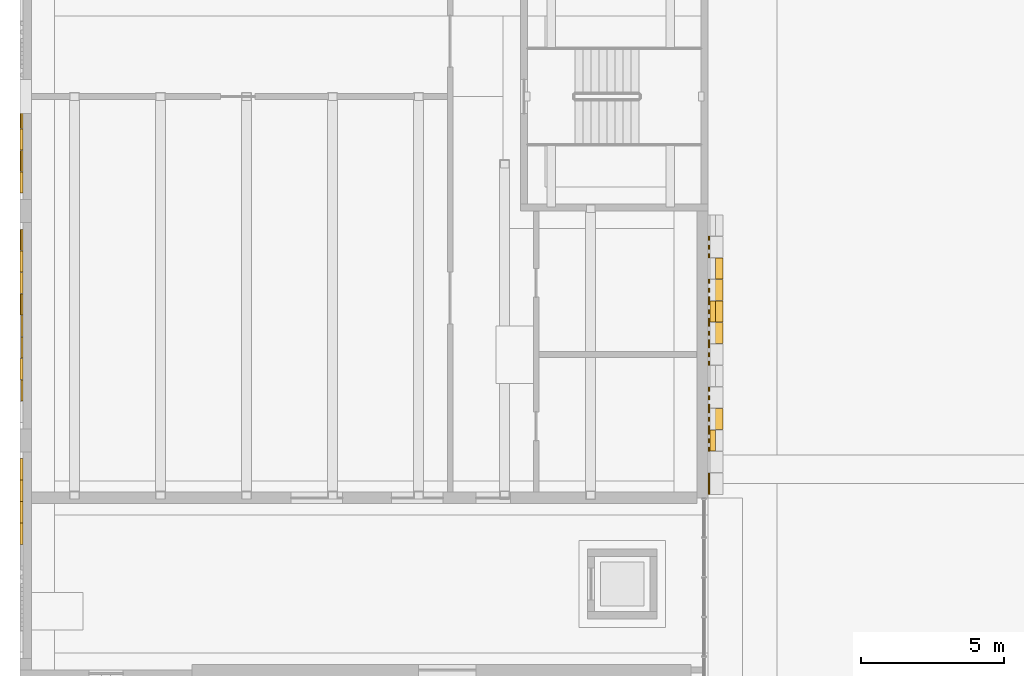
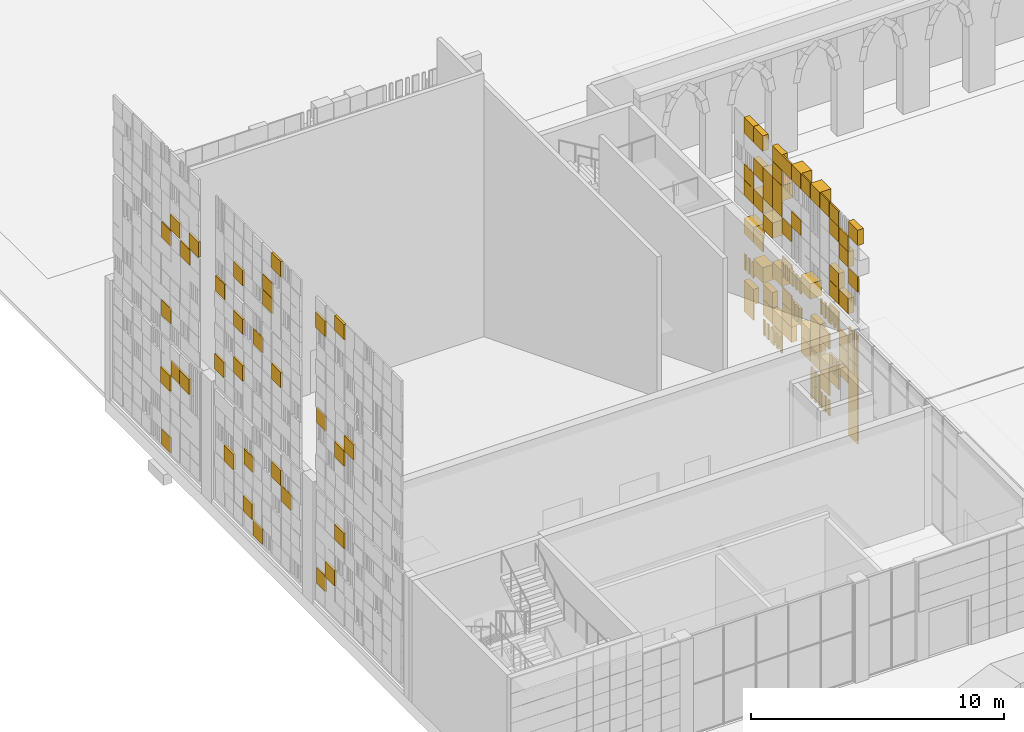
# One storey, part 92 of 125: 4 coverings.
"""IFC4 building model written with IfcOpenShell, lengths in metres."""

from ifc_helpers import new_model, si_unit, direction, frame, origin, origin_2d, place, context, subcontext, project, spatial, rectangle, extrude, material, layer, layer_set, type_object, element, save


model = new_model("IFC4")

# Units and contexts
model_context = context("Model", 3, precision=1e-05, world=origin(), true_north=direction((0.0, 1.0)))
body_context = subcontext(model_context, "Body", "Model", "MODEL_VIEW")
ifc_project = project(units=[si_unit("LENGTHUNIT", "METRE"), si_unit("AREAUNIT", "SQUARE_METRE"), si_unit("VOLUMEUNIT", "CUBIC_METRE"), si_unit("PLANEANGLEUNIT", "RADIAN"), si_unit("MASSUNIT", "GRAM", prefix="KILO")], contexts=[model_context])

# Site, building, storey
site_placement = place(None, origin())
site = spatial("IfcSite", under=ifc_project, at=site_placement, CompositionType="ELEMENT")
building_placement = place(site_placement, origin())
building = spatial("IfcBuilding", under=site, at=building_placement, Name="Sun Court Science Centre", CompositionType="ELEMENT")
storey_placement = place(building_placement, origin())
storey = spatial("IfcBuildingStorey", under=building, at=storey_placement, Name="L00", CompositionType="ELEMENT", Elevation=0.0)

# Coverings
ifc_material_1 = material(Name="Red sandstone", Category="masonry")
ifc_layer_1 = layer(ifc_material_1, 0.06005859375)
ifc_layer_set_1 = layer_set([ifc_layer_1], Name="Red sandstone")
covering_type_1 = type_object("IfcCoveringType", Name="Red sandstone jali relief 750", PredefinedType="CLADDING", material=ifc_layer_set_1)
covering_1_placement = place(storey_placement, origin())
element("IfcCovering", 1, at=covering_1_placement, inside=storey, type_object=covering_type_1, Name="Red sandstone jali relief theatre-AUD-east face-L00 L00", PredefinedType="CLADDING", context=body_context, shape_type="SweptSolid", body=[
    extrude(rectangle(XDim=0.139892578125, YDim=0.06005859375, at=origin_2d()), frame((24.030029296875, 57.800048828125, 0.0048828125), z_axis=(0.0, 0.0, 1.0), x_axis=(0.0, -1.0, 0.0)), (0.0, 0.0, 1.0), 0.739990234375),
    extrude(rectangle(XDim=0.139892578125, YDim=0.06005859375, at=origin_2d()), frame((24.030029296875, 57.5, 0.0048828125), z_axis=(0.0, 0.0, 1.0), x_axis=(0.0, -1.0, 0.0)), (0.0, 0.0, 1.0), 0.739990234375),
    extrude(rectangle(XDim=0.139892578125, YDim=0.06005859375, at=origin_2d()), frame((24.030029296875, 57.199951171875, 0.0048828125), z_axis=(0.0, 0.0, 1.0), x_axis=(0.0, -1.0, 0.0)), (0.0, 0.0, 1.0), 0.739990234375),
    extrude(rectangle(XDim=0.139892578125, YDim=0.06005859375, at=origin_2d()), frame((24.030029296875, 57.050048828125, 0.0048828125), z_axis=(0.0, 0.0, 1.0), x_axis=(0.0, -1.0, 0.0)), (0.0, 0.0, 1.0), 0.739990234375),
    extrude(rectangle(XDim=0.139892578125, YDim=0.06005859375, at=origin_2d()), frame((24.030029296875, 56.75, 0.0048828125), z_axis=(0.0, 0.0, 1.0), x_axis=(0.0, -1.0, 0.0)), (0.0, 0.0, 1.0), 0.739990234375),
    extrude(rectangle(XDim=0.139892578125, YDim=0.06005859375, at=origin_2d()), frame((24.030029296875, 56.449951171875, 0.0048828125), z_axis=(0.0, 0.0, 1.0), x_axis=(0.0, -1.0, 0.0)), (0.0, 0.0, 1.0), 0.739990234375),
    extrude(rectangle(XDim=0.139892578125, YDim=0.06005859375, at=origin_2d()), frame((24.030029296875, 61.550048828125, 0.7548828125), z_axis=(0.0, 0.0, 1.0), x_axis=(0.0, -1.0, 0.0)), (0.0, 0.0, 1.0), 0.739990234375),
    extrude(rectangle(XDim=0.139892578125, YDim=0.06005859375, at=origin_2d()), frame((24.030029296875, 61.25, 0.7548828125), z_axis=(0.0, 0.0, 1.0), x_axis=(0.0, -1.0, 0.0)), (0.0, 0.0, 1.0), 0.739990234375),
    extrude(rectangle(XDim=0.139892578125, YDim=0.06005859375, at=origin_2d()), frame((24.030029296875, 60.949951171875, 0.7548828125), z_axis=(0.0, 0.0, 1.0), x_axis=(0.0, -1.0, 0.0)), (0.0, 0.0, 1.0), 0.739990234375),
    extrude(rectangle(XDim=0.139892578125, YDim=0.06005859375, at=origin_2d()), frame((24.030029296875, 60.800048828125, 0.7548828125), z_axis=(0.0, 0.0, 1.0), x_axis=(0.0, -1.0, 0.0)), (0.0, 0.0, 1.0), 0.739990234375),
    extrude(rectangle(XDim=0.139892578125, YDim=0.06005859375, at=origin_2d()), frame((24.030029296875, 60.5, 0.7548828125), z_axis=(0.0, 0.0, 1.0), x_axis=(0.0, -1.0, 0.0)), (0.0, 0.0, 1.0), 0.739990234375),
    extrude(rectangle(XDim=0.139892578125, YDim=0.06005859375, at=origin_2d()), frame((24.030029296875, 60.199951171875, 0.7548828125), z_axis=(0.0, 0.0, 1.0), x_axis=(0.0, -1.0, 0.0)), (0.0, 0.0, 1.0), 0.739990234375),
    extrude(rectangle(XDim=0.139892578125, YDim=0.06005859375, at=origin_2d()), frame((24.030029296875, 57.800048828125, 0.7548828125), z_axis=(0.0, 0.0, 1.0), x_axis=(0.0, -1.0, 0.0)), (0.0, 0.0, 1.0), 0.739990234375),
    extrude(rectangle(XDim=0.139892578125, YDim=0.06005859375, at=origin_2d()), frame((24.030029296875, 57.5, 0.7548828125), z_axis=(0.0, 0.0, 1.0), x_axis=(0.0, -1.0, 0.0)), (0.0, 0.0, 1.0), 0.739990234375),
    extrude(rectangle(XDim=0.139892578125, YDim=0.06005859375, at=origin_2d()), frame((24.030029296875, 57.199951171875, 0.7548828125), z_axis=(0.0, 0.0, 1.0), x_axis=(0.0, -1.0, 0.0)), (0.0, 0.0, 1.0), 0.739990234375),
    extrude(rectangle(XDim=0.139892578125, YDim=0.06005859375, at=origin_2d()), frame((24.030029296875, 57.800048828125, 2.2548828125), z_axis=(0.0, 0.0, 1.0), x_axis=(0.0, -1.0, 0.0)), (0.0, 0.0, 1.0), 0.739990234375),
    extrude(rectangle(XDim=0.139892578125, YDim=0.06005859375, at=origin_2d()), frame((24.030029296875, 57.5, 2.2548828125), z_axis=(0.0, 0.0, 1.0), x_axis=(0.0, -1.0, 0.0)), (0.0, 0.0, 1.0), 0.739990234375),
    extrude(rectangle(XDim=0.139892578125, YDim=0.06005859375, at=origin_2d()), frame((24.030029296875, 57.199951171875, 2.2548828125), z_axis=(0.0, 0.0, 1.0), x_axis=(0.0, -1.0, 0.0)), (0.0, 0.0, 1.0), 0.739990234375),
    extrude(rectangle(XDim=0.139892578125, YDim=0.06005859375, at=origin_2d()), frame((24.030029296875, 56.300048828125, 2.2548828125), z_axis=(0.0, 0.0, 1.0), x_axis=(0.0, -1.0, 0.0)), (0.0, 0.0, 1.0), 0.739990234375),
    extrude(rectangle(XDim=0.139892578125, YDim=0.06005859375, at=origin_2d()), frame((24.030029296875, 56.0, 2.2548828125), z_axis=(0.0, 0.0, 1.0), x_axis=(0.0, -1.0, 0.0)), (0.0, 0.0, 1.0), 0.739990234375),
    extrude(rectangle(XDim=0.139892578125, YDim=0.06005859375, at=origin_2d()), frame((24.030029296875, 55.699951171875, 2.2548828125), z_axis=(0.0, 0.0, 1.0), x_axis=(0.0, -1.0, 0.0)), (0.0, 0.0, 1.0), 0.739990234375),
    extrude(rectangle(XDim=0.139892578125, YDim=0.06005859375, at=origin_2d()), frame((24.030029296875, 63.050048828125, 3.0048828125), z_axis=(0.0, 0.0, 1.0), x_axis=(0.0, -1.0, 0.0)), (0.0, 0.0, 1.0), 0.739990234375),
    extrude(rectangle(XDim=0.139892578125, YDim=0.06005859375, at=origin_2d()), frame((24.030029296875, 62.75, 3.0048828125), z_axis=(0.0, 0.0, 1.0), x_axis=(0.0, -1.0, 0.0)), (0.0, 0.0, 1.0), 0.739990234375),
    extrude(rectangle(XDim=0.139892578125, YDim=0.06005859375, at=origin_2d()), frame((24.030029296875, 62.449951171875, 3.0048828125), z_axis=(0.0, 0.0, 1.0), x_axis=(0.0, -1.0, 0.0)), (0.0, 0.0, 1.0), 0.739990234375),
    extrude(rectangle(XDim=0.139892578125, YDim=0.06005859375, at=origin_2d()), frame((24.030029296875, 59.300048828125, 3.0048828125), z_axis=(0.0, 0.0, 1.0), x_axis=(0.0, -1.0, 0.0)), (0.0, 0.0, 1.0), 0.739990234375),
    extrude(rectangle(XDim=0.139892578125, YDim=0.06005859375, at=origin_2d()), frame((24.030029296875, 59.0, 3.0048828125), z_axis=(0.0, 0.0, 1.0), x_axis=(0.0, -1.0, 0.0)), (0.0, 0.0, 1.0), 0.739990234375),
    extrude(rectangle(XDim=0.139892578125, YDim=0.06005859375, at=origin_2d()), frame((24.030029296875, 58.699951171875, 3.0048828125), z_axis=(0.0, 0.0, 1.0), x_axis=(0.0, -1.0, 0.0)), (0.0, 0.0, 1.0), 0.739990234375),
    extrude(rectangle(XDim=0.139892578125, YDim=0.06005859375, at=origin_2d()), frame((24.030029296875, 60.050048828125, 4.5048828125), z_axis=(0.0, 0.0, 1.0), x_axis=(0.0, -1.0, 0.0)), (0.0, 0.0, 1.0), 0.739990234375),
    extrude(rectangle(XDim=0.139892578125, YDim=0.06005859375, at=origin_2d()), frame((24.030029296875, 59.75, 4.5048828125), z_axis=(0.0, 0.0, 1.0), x_axis=(0.0, -1.0, 0.0)), (0.0, 0.0, 1.0), 0.739990234375),
    extrude(rectangle(XDim=0.139892578125, YDim=0.06005859375, at=origin_2d()), frame((24.030029296875, 59.449951171875, 4.5048828125), z_axis=(0.0, 0.0, 1.0), x_axis=(0.0, -1.0, 0.0)), (0.0, 0.0, 1.0), 0.739990234375),
    extrude(rectangle(XDim=0.139892578125, YDim=0.06005859375, at=origin_2d()), frame((24.030029296875, 59.300048828125, 4.5048828125), z_axis=(0.0, 0.0, 1.0), x_axis=(0.0, -1.0, 0.0)), (0.0, 0.0, 1.0), 0.739990234375),
    extrude(rectangle(XDim=0.139892578125, YDim=0.06005859375, at=origin_2d()), frame((24.030029296875, 59.0, 4.5048828125), z_axis=(0.0, 0.0, 1.0), x_axis=(0.0, -1.0, 0.0)), (0.0, 0.0, 1.0), 0.739990234375),
    extrude(rectangle(XDim=0.139892578125, YDim=0.06005859375, at=origin_2d()), frame((24.030029296875, 58.699951171875, 4.5048828125), z_axis=(0.0, 0.0, 1.0), x_axis=(0.0, -1.0, 0.0)), (0.0, 0.0, 1.0), 0.739990234375),
    extrude(rectangle(XDim=0.139892578125, YDim=0.06005859375, at=origin_2d()), frame((24.030029296875, 57.050048828125, 4.5048828125), z_axis=(0.0, 0.0, 1.0), x_axis=(0.0, -1.0, 0.0)), (0.0, 0.0, 1.0), 0.739990234375),
    extrude(rectangle(XDim=0.139892578125, YDim=0.06005859375, at=origin_2d()), frame((24.030029296875, 56.75, 4.5048828125), z_axis=(0.0, 0.0, 1.0), x_axis=(0.0, -1.0, 0.0)), (0.0, 0.0, 1.0), 0.739990234375),
    extrude(rectangle(XDim=0.139892578125, YDim=0.06005859375, at=origin_2d()), frame((24.030029296875, 56.449951171875, 4.5048828125), z_axis=(0.0, 0.0, 1.0), x_axis=(0.0, -1.0, 0.0)), (0.0, 0.0, 1.0), 0.739990234375),
    extrude(rectangle(XDim=0.139892578125, YDim=0.06005859375, at=origin_2d()), frame((24.030029296875, 56.300048828125, 4.5048828125), z_axis=(0.0, 0.0, 1.0), x_axis=(0.0, -1.0, 0.0)), (0.0, 0.0, 1.0), 0.739990234375),
    extrude(rectangle(XDim=0.139892578125, YDim=0.06005859375, at=origin_2d()), frame((24.030029296875, 56.0, 4.5048828125), z_axis=(0.0, 0.0, 1.0), x_axis=(0.0, -1.0, 0.0)), (0.0, 0.0, 1.0), 0.739990234375),
    extrude(rectangle(XDim=0.139892578125, YDim=0.06005859375, at=origin_2d()), frame((24.030029296875, 55.699951171875, 4.5048828125), z_axis=(0.0, 0.0, 1.0), x_axis=(0.0, -1.0, 0.0)), (0.0, 0.0, 1.0), 0.739990234375),
    extrude(rectangle(XDim=0.139892578125, YDim=0.06005859375, at=origin_2d()), frame((24.030029296875, 54.800048828125, 4.5048828125), z_axis=(0.0, 0.0, 1.0), x_axis=(0.0, -1.0, 0.0)), (0.0, 0.0, 1.0), 0.739990234375),
    extrude(rectangle(XDim=0.139892578125, YDim=0.06005859375, at=origin_2d()), frame((24.030029296875, 54.5, 4.5048828125), z_axis=(0.0, 0.0, 1.0), x_axis=(0.0, -1.0, 0.0)), (0.0, 0.0, 1.0), 0.739990234375),
    extrude(rectangle(XDim=0.139892578125, YDim=0.06005859375, at=origin_2d()), frame((24.030029296875, 54.199951171875, 4.5048828125), z_axis=(0.0, 0.0, 1.0), x_axis=(0.0, -1.0, 0.0)), (0.0, 0.0, 1.0), 0.739990234375),
    extrude(rectangle(XDim=0.739990234375, YDim=0.06005859375, at=origin_2d()), frame((24.030029296875, 54.5, 0.0048828125), z_axis=(0.0, 0.0, 1.0), x_axis=(0.0, -1.0, 0.0)), (0.0, 0.0, 1.0), 0.739990234375),
    extrude(rectangle(XDim=0.739990234375, YDim=0.06005859375, at=origin_2d()), frame((24.030029296875, 54.5, 0.7548828125), z_axis=(0.0, 0.0, 1.0), x_axis=(0.0, -1.0, 0.0)), (0.0, 0.0, 1.0), 0.739990234375),
    extrude(rectangle(XDim=0.739990234375, YDim=0.06005859375, at=origin_2d()), frame((24.030029296875, 54.5, 1.5048828125), z_axis=(0.0, 0.0, 1.0), x_axis=(0.0, -1.0, 0.0)), (0.0, 0.0, 1.0), 0.739990234375),
    extrude(rectangle(XDim=0.739990234375, YDim=0.06005859375, at=origin_2d()), frame((24.030029296875, 54.5, 2.2548828125), z_axis=(0.0, 0.0, 1.0), x_axis=(0.0, -1.0, 0.0)), (0.0, 0.0, 1.0), 0.739990234375),
    extrude(rectangle(XDim=0.739990234375, YDim=0.06005859375, at=origin_2d()), frame((24.030029296875, 54.5, 3.0048828125), z_axis=(0.0, 0.0, 1.0), x_axis=(0.0, -1.0, 0.0)), (0.0, 0.0, 1.0), 0.739990234375),
    extrude(rectangle(XDim=0.739990234375, YDim=0.06005859375, at=origin_2d()), frame((24.030029296875, 54.5, 3.7548828125), z_axis=(0.0, 0.0, 1.0), x_axis=(0.0, -1.0, 0.0)), (0.0, 0.0, 1.0), 0.739990234375),
])
ifc_material_2 = material(Name="Terracotta shade 1", Category="masonry")
ifc_layer_2 = layer(ifc_material_2, 0.06005859375)
ifc_layer_set_2 = layer_set([ifc_layer_2], Name="Terracotta shade 1")
covering_type_2 = type_object("IfcCoveringType", Name="Terracotta pixel panel shade 1", PredefinedType="CLADDING", material=ifc_layer_set_2)
covering_2_placement = place(storey_placement, origin())
element("IfcCovering", 2, at=covering_2_placement, inside=storey, type_object=covering_type_2, Name="Terracotta pixel cladding shade 1 east party wall L00", PredefinedType="CLADDING", context=body_context, shape_type="SweptSolid", body=[
    extrude(rectangle(XDim=0.739990234375, YDim=0.06005859375, at=origin_2d()), frame((24.030029296875, 62.75, 0.97998046875), z_axis=(0.0, 0.0, 1.0), x_axis=(0.0, -1.0, 0.0)), (0.0, 0.0, 1.0), 0.739990234375),
    extrude(rectangle(XDim=0.739990234375, YDim=0.06005859375, at=origin_2d()), frame((24.030029296875, 60.5, 0.97998046875), z_axis=(0.0, 0.0, 1.0), x_axis=(0.0, -1.0, 0.0)), (0.0, 0.0, 1.0), 0.739990234375),
    extrude(rectangle(XDim=0.739990234375, YDim=0.06005859375, at=origin_2d()), frame((24.030029296875, 56.75, 0.97998046875), z_axis=(0.0, 0.0, 1.0), x_axis=(0.0, -1.0, 0.0)), (0.0, 0.0, 1.0), 0.739990234375),
    extrude(rectangle(XDim=0.739990234375, YDim=0.260009765625, at=origin_2d()), frame((24.1298828125, 62.75, 1.72998046875), z_axis=(0.0, 0.0, 1.0), x_axis=(0.0, -1.0, 0.0)), (0.0, 0.0, 1.0), 0.739990234375),
    extrude(rectangle(XDim=0.739990234375, YDim=0.260009765625, at=origin_2d()), frame((24.1298828125, 60.5, 1.72998046875), z_axis=(0.0, 0.0, 1.0), x_axis=(0.0, -1.0, 0.0)), (0.0, 0.0, 1.0), 0.739990234375),
    extrude(rectangle(XDim=0.739990234375, YDim=0.06005859375, at=origin_2d()), frame((24.030029296875, 57.5, 1.72998046875), z_axis=(0.0, 0.0, 1.0), x_axis=(0.0, -1.0, 0.0)), (0.0, 0.0, 1.0), 0.739990234375),
    extrude(rectangle(XDim=0.739990234375, YDim=0.06005859375, at=origin_2d()), frame((24.030029296875, 56.0, 1.72998046875), z_axis=(0.0, 0.0, 1.0), x_axis=(0.0, -1.0, 0.0)), (0.0, 0.0, 1.0), 0.739990234375),
    extrude(rectangle(XDim=0.739990234375, YDim=0.06005859375, at=origin_2d()), frame((24.030029296875, 54.5, 1.72998046875), z_axis=(0.0, 0.0, 1.0), x_axis=(0.0, -1.0, 0.0)), (0.0, 0.0, 1.0), 0.739990234375),
    extrude(rectangle(XDim=0.739990234375, YDim=0.260009765625, at=origin_2d()), frame((24.1298828125, 61.25, 2.47998046875), z_axis=(0.0, 0.0, 1.0), x_axis=(0.0, -1.0, 0.0)), (0.0, 0.0, 1.0), 0.739990234375),
    extrude(rectangle(XDim=0.739990234375, YDim=0.260009765625, at=origin_2d()), frame((24.1298828125, 58.25, 2.47998046875), z_axis=(0.0, 0.0, 1.0), x_axis=(0.0, -1.0, 0.0)), (0.0, 0.0, 1.0), 0.739990234375),
    extrude(rectangle(XDim=0.739990234375, YDim=0.06005859375, at=origin_2d()), frame((24.030029296875, 55.25, 2.47998046875), z_axis=(0.0, 0.0, 1.0), x_axis=(0.0, -1.0, 0.0)), (0.0, 0.0, 1.0), 0.739990234375),
    extrude(rectangle(XDim=0.739990234375, YDim=0.510009765625, at=origin_2d()), frame((24.2548828125, 62.0, 3.22998046875), z_axis=(0.0, 0.0, 1.0), x_axis=(0.0, -1.0, 0.0)), (0.0, 0.0, 1.0), 0.739990234375),
    extrude(rectangle(XDim=0.739990234375, YDim=0.06005859375, at=origin_2d()), frame((24.030029296875, 59.75, 3.22998046875), z_axis=(0.0, 0.0, 1.0), x_axis=(0.0, -1.0, 0.0)), (0.0, 0.0, 1.0), 0.739990234375),
    extrude(rectangle(XDim=0.739990234375, YDim=0.06005859375, at=origin_2d()), frame((24.030029296875, 56.75, 3.22998046875), z_axis=(0.0, 0.0, 1.0), x_axis=(0.0, -1.0, 0.0)), (0.0, 0.0, 1.0), 0.739990234375),
    extrude(rectangle(XDim=0.739990234375, YDim=0.06005859375, at=origin_2d()), frame((24.030029296875, 55.25, 3.22998046875), z_axis=(0.0, 0.0, 1.0), x_axis=(0.0, -1.0, 0.0)), (0.0, 0.0, 1.0), 0.739990234375),
    extrude(rectangle(XDim=0.739990234375, YDim=0.510009765625, at=origin_2d()), frame((24.2548828125, 60.5, 3.97998046875), z_axis=(0.0, 0.0, 1.0), x_axis=(0.0, -1.0, 0.0)), (0.0, 0.0, 1.0), 0.739990234375),
    extrude(rectangle(XDim=0.739990234375, YDim=0.510009765625, at=origin_2d()), frame((24.2548828125, 62.75, 4.72998046875), z_axis=(0.0, 0.0, 1.0), x_axis=(0.0, -1.0, 0.0)), (0.0, 0.0, 1.0), 0.739990234375),
    extrude(rectangle(XDim=0.739990234375, YDim=0.06005859375, at=origin_2d()), frame((24.030029296875, 56.0, 4.72998046875), z_axis=(0.0, 0.0, 1.0), x_axis=(0.0, -1.0, 0.0)), (0.0, 0.0, 1.0), 0.739990234375),
    extrude(rectangle(XDim=0.739990234375, YDim=0.510009765625, at=origin_2d()), frame((24.2548828125, 61.25, 5.8388671875), z_axis=(0.0, 0.0, 1.0), x_axis=(0.0, -1.0, 0.0)), (0.0, 0.0, 1.0), 0.739990234375),
    extrude(rectangle(XDim=0.739990234375, YDim=0.06005859375, at=origin_2d()), frame((24.030029296875, 56.0, 5.8388671875), z_axis=(0.0, 0.0, 1.0), x_axis=(0.0, -1.0, 0.0)), (0.0, 0.0, 1.0), 0.739990234375),
    extrude(rectangle(XDim=0.739990234375, YDim=0.260009765625, at=origin_2d()), frame((24.1298828125, 55.25, 5.8388671875), z_axis=(0.0, 0.0, 1.0), x_axis=(0.0, -1.0, 0.0)), (0.0, 0.0, 1.0), 0.739990234375),
    extrude(rectangle(XDim=0.739990234375, YDim=0.06005859375, at=origin_2d()), frame((24.030029296875, 62.75, 6.5888671875), z_axis=(0.0, 0.0, 1.0), x_axis=(0.0, -1.0, 0.0)), (0.0, 0.0, 1.0), 0.739990234375),
    extrude(rectangle(XDim=0.739990234375, YDim=0.260009765625, at=origin_2d()), frame((24.1298828125, 56.0, 6.5888671875), z_axis=(0.0, 0.0, 1.0), x_axis=(0.0, -1.0, 0.0)), (0.0, 0.0, 1.0), 0.739990234375),
    extrude(rectangle(XDim=0.739990234375, YDim=0.06005859375, at=origin_2d()), frame((24.030029296875, 62.75, 7.3388671875), z_axis=(0.0, 0.0, 1.0), x_axis=(0.0, -1.0, 0.0)), (0.0, 0.0, 1.0), 0.739990234375),
    extrude(rectangle(XDim=0.739990234375, YDim=0.06005859375, at=origin_2d()), frame((24.030029296875, 60.5, 7.3388671875), z_axis=(0.0, 0.0, 1.0), x_axis=(0.0, -1.0, 0.0)), (0.0, 0.0, 1.0), 0.739990234375),
    extrude(rectangle(XDim=0.739990234375, YDim=0.06005859375, at=origin_2d()), frame((24.030029296875, 54.5, 7.3388671875), z_axis=(0.0, 0.0, 1.0), x_axis=(0.0, -1.0, 0.0)), (0.0, 0.0, 1.0), 0.739990234375),
    extrude(rectangle(XDim=0.739990234375, YDim=0.260009765625, at=origin_2d()), frame((24.1298828125, 62.0, 8.0888671875), z_axis=(0.0, 0.0, 1.0), x_axis=(0.0, -1.0, 0.0)), (0.0, 0.0, 1.0), 0.739990234375),
    extrude(rectangle(XDim=0.739990234375, YDim=0.510009765625, at=origin_2d()), frame((24.2548828125, 60.5, 8.0888671875), z_axis=(0.0, 0.0, 1.0), x_axis=(0.0, -1.0, 0.0)), (0.0, 0.0, 1.0), 0.739990234375),
    extrude(rectangle(XDim=0.739990234375, YDim=0.06005859375, at=origin_2d()), frame((24.030029296875, 55.25, 8.8388671875), z_axis=(0.0, 0.0, 1.0), x_axis=(0.0, -1.0, 0.0)), (0.0, 0.0, 1.0), 0.739990234375),
    extrude(rectangle(XDim=0.739990234375, YDim=0.260009765625, at=origin_2d()), frame((24.1298828125, 62.75, 9.5888671875), z_axis=(0.0, 0.0, 1.0), x_axis=(0.0, -1.0, 0.0)), (0.0, 0.0, 1.0), 0.739990234375),
    extrude(rectangle(XDim=0.739990234375, YDim=0.260009765625, at=origin_2d()), frame((24.1298828125, 60.5, 9.5888671875), z_axis=(0.0, 0.0, 1.0), x_axis=(0.0, -1.0, 0.0)), (0.0, 0.0, 1.0), 0.739990234375),
    extrude(rectangle(XDim=0.739990234375, YDim=0.06005859375, at=origin_2d()), frame((24.030029296875, 59.75, 9.5888671875), z_axis=(0.0, 0.0, 1.0), x_axis=(0.0, -1.0, 0.0)), (0.0, 0.0, 1.0), 0.739990234375),
    extrude(rectangle(XDim=0.739990234375, YDim=0.510009765625, at=origin_2d()), frame((24.2548828125, 57.5, 9.5888671875), z_axis=(0.0, 0.0, 1.0), x_axis=(0.0, -1.0, 0.0)), (0.0, 0.0, 1.0), 0.739990234375),
    extrude(rectangle(XDim=0.739990234375, YDim=0.06005859375, at=origin_2d()), frame((24.030029296875, 56.75, 9.5888671875), z_axis=(0.0, 0.0, 1.0), x_axis=(0.0, -1.0, 0.0)), (0.0, 0.0, 1.0), 0.739990234375),
    extrude(rectangle(XDim=0.739990234375, YDim=0.06005859375, at=origin_2d()), frame((24.030029296875, 56.0, 9.5888671875), z_axis=(0.0, 0.0, 1.0), x_axis=(0.0, -1.0, 0.0)), (0.0, 0.0, 1.0), 0.739990234375),
    extrude(rectangle(XDim=0.739990234375, YDim=0.260009765625, at=origin_2d()), frame((24.1298828125, 54.5, 9.5888671875), z_axis=(0.0, 0.0, 1.0), x_axis=(0.0, -1.0, 0.0)), (0.0, 0.0, 1.0), 0.739990234375),
    extrude(rectangle(XDim=0.739990234375, YDim=0.06005859375, at=origin_2d()), frame((24.030029296875, 54.5, 2.47998046875), z_axis=(0.0, 0.0, 1.0), x_axis=(0.0, -1.0, 0.0)), (0.0, 0.0, 1.0), 0.739990234375),
    extrude(rectangle(XDim=0.739990234375, YDim=0.06005859375, at=origin_2d()), frame((24.030029296875, 54.5, 3.22998046875), z_axis=(0.0, 0.0, 1.0), x_axis=(0.0, -1.0, 0.0)), (0.0, 0.0, 1.0), 0.739990234375),
])
ifc_material_3 = material(Name="Terracotta shade 4", Category="masonry")
ifc_layer_3 = layer(ifc_material_3, 0.06005859375)
ifc_layer_set_3 = layer_set([ifc_layer_3], Name="Terracotta shade 4")
covering_type_3 = type_object("IfcCoveringType", Name="Terracotta pixel panel shade 4", PredefinedType="CLADDING", material=ifc_layer_set_3)
covering_3_placement = place(storey_placement, origin())
element("IfcCovering", 3, at=covering_3_placement, inside=storey, type_object=covering_type_3, Name="Terracotta pixel cladding shade 4 east party wall L00", PredefinedType="CLADDING", context=body_context, shape_type="SweptSolid", body=[
    extrude(rectangle(XDim=0.739990234375, YDim=0.260009765625, at=origin_2d()), frame((24.1298828125, 61.25, 1.72998046875), z_axis=(0.0, 0.0, 1.0), x_axis=(0.0, -1.0, 0.0)), (0.0, 0.0, 1.0), 0.739990234375),
    extrude(rectangle(XDim=0.739990234375, YDim=0.260009765625, at=origin_2d()), frame((24.1298828125, 59.75, 1.72998046875), z_axis=(0.0, 0.0, 1.0), x_axis=(0.0, -1.0, 0.0)), (0.0, 0.0, 1.0), 0.739990234375),
    extrude(rectangle(XDim=0.739990234375, YDim=0.06005859375, at=origin_2d()), frame((24.030029296875, 58.25, 1.72998046875), z_axis=(0.0, 0.0, 1.0), x_axis=(0.0, -1.0, 0.0)), (0.0, 0.0, 1.0), 0.739990234375),
    extrude(rectangle(XDim=0.739990234375, YDim=0.510009765625, at=origin_2d()), frame((24.2548828125, 56.75, 1.72998046875), z_axis=(0.0, 0.0, 1.0), x_axis=(0.0, -1.0, 0.0)), (0.0, 0.0, 1.0), 0.739990234375),
    extrude(rectangle(XDim=0.739990234375, YDim=0.510009765625, at=origin_2d()), frame((24.2548828125, 59.75, 2.47998046875), z_axis=(0.0, 0.0, 1.0), x_axis=(0.0, -1.0, 0.0)), (0.0, 0.0, 1.0), 0.739990234375),
    extrude(rectangle(XDim=0.739990234375, YDim=0.260009765625, at=origin_2d()), frame((24.1298828125, 57.5, 2.47998046875), z_axis=(0.0, 0.0, 1.0), x_axis=(0.0, -1.0, 0.0)), (0.0, 0.0, 1.0), 0.739990234375),
    extrude(rectangle(XDim=0.739990234375, YDim=0.260009765625, at=origin_2d()), frame((24.1298828125, 57.5, 3.22998046875), z_axis=(0.0, 0.0, 1.0), x_axis=(0.0, -1.0, 0.0)), (0.0, 0.0, 1.0), 0.739990234375),
    extrude(rectangle(XDim=0.739990234375, YDim=0.06005859375, at=origin_2d()), frame((24.030029296875, 55.25, 3.97998046875), z_axis=(0.0, 0.0, 1.0), x_axis=(0.0, -1.0, 0.0)), (0.0, 0.0, 1.0), 0.739990234375),
    extrude(rectangle(XDim=0.739990234375, YDim=0.06005859375, at=origin_2d()), frame((24.030029296875, 62.0, 4.72998046875), z_axis=(0.0, 0.0, 1.0), x_axis=(0.0, -1.0, 0.0)), (0.0, 0.0, 1.0), 0.739990234375),
    extrude(rectangle(XDim=0.739990234375, YDim=0.06005859375, at=origin_2d()), frame((24.030029296875, 59.75, 4.72998046875), z_axis=(0.0, 0.0, 1.0), x_axis=(0.0, -1.0, 0.0)), (0.0, 0.0, 1.0), 0.739990234375),
    extrude(rectangle(XDim=0.739990234375, YDim=0.510009765625, at=origin_2d()), frame((24.2548828125, 58.25, 4.72998046875), z_axis=(0.0, 0.0, 1.0), x_axis=(0.0, -1.0, 0.0)), (0.0, 0.0, 1.0), 0.739990234375),
    extrude(rectangle(XDim=0.739990234375, YDim=0.510009765625, at=origin_2d()), frame((24.2548828125, 62.0, 6.5888671875), z_axis=(0.0, 0.0, 1.0), x_axis=(0.0, -1.0, 0.0)), (0.0, 0.0, 1.0), 0.739990234375),
    extrude(rectangle(XDim=0.739990234375, YDim=0.06005859375, at=origin_2d()), frame((24.030029296875, 59.75, 6.5888671875), z_axis=(0.0, 0.0, 1.0), x_axis=(0.0, -1.0, 0.0)), (0.0, 0.0, 1.0), 0.739990234375),
    extrude(rectangle(XDim=0.739990234375, YDim=0.06005859375, at=origin_2d()), frame((24.030029296875, 61.25, 7.3388671875), z_axis=(0.0, 0.0, 1.0), x_axis=(0.0, -1.0, 0.0)), (0.0, 0.0, 1.0), 0.739990234375),
    extrude(rectangle(XDim=0.739990234375, YDim=0.06005859375, at=origin_2d()), frame((24.030029296875, 59.0, 7.3388671875), z_axis=(0.0, 0.0, 1.0), x_axis=(0.0, -1.0, 0.0)), (0.0, 0.0, 1.0), 0.739990234375),
    extrude(rectangle(XDim=0.739990234375, YDim=0.510009765625, at=origin_2d()), frame((24.2548828125, 61.25, 8.0888671875), z_axis=(0.0, 0.0, 1.0), x_axis=(0.0, -1.0, 0.0)), (0.0, 0.0, 1.0), 0.739990234375),
    extrude(rectangle(XDim=0.739990234375, YDim=0.260009765625, at=origin_2d()), frame((24.1298828125, 55.25, 8.0888671875), z_axis=(0.0, 0.0, 1.0), x_axis=(0.0, -1.0, 0.0)), (0.0, 0.0, 1.0), 0.739990234375),
    extrude(rectangle(XDim=0.739990234375, YDim=0.06005859375, at=origin_2d()), frame((24.030029296875, 60.5, 8.8388671875), z_axis=(0.0, 0.0, 1.0), x_axis=(0.0, -1.0, 0.0)), (0.0, 0.0, 1.0), 0.739990234375),
    extrude(rectangle(XDim=0.739990234375, YDim=0.06005859375, at=origin_2d()), frame((24.030029296875, 56.0, 8.8388671875), z_axis=(0.0, 0.0, 1.0), x_axis=(0.0, -1.0, 0.0)), (0.0, 0.0, 1.0), 0.739990234375),
    extrude(rectangle(XDim=0.739990234375, YDim=0.260009765625, at=origin_2d()), frame((24.1298828125, 62.0, 9.5888671875), z_axis=(0.0, 0.0, 1.0), x_axis=(0.0, -1.0, 0.0)), (0.0, 0.0, 1.0), 0.739990234375),
    extrude(rectangle(XDim=0.739990234375, YDim=0.510009765625, at=origin_2d()), frame((24.2548828125, 59.0, 9.5888671875), z_axis=(0.0, 0.0, 1.0), x_axis=(0.0, -1.0, 0.0)), (0.0, 0.0, 1.0), 0.739990234375),
    extrude(rectangle(XDim=0.739990234375, YDim=0.06005859375, at=origin_2d()), frame((24.030029296875, 58.25, 9.5888671875), z_axis=(0.0, 0.0, 1.0), x_axis=(0.0, -1.0, 0.0)), (0.0, 0.0, 1.0), 0.739990234375),
])
ifc_material_4 = material(Name="Terracotta shade 5", Category="masonry")
ifc_layer_4 = layer(ifc_material_4, 0.06005859375)
ifc_layer_set_4 = layer_set([ifc_layer_4], Name="Terracotta shade 5")
covering_type_4 = type_object("IfcCoveringType", Name="Terracotta pixel panel shade 5", PredefinedType="CLADDING", material=ifc_layer_set_4)
covering_4_placement = place(storey_placement, origin())
element("IfcCovering", 4, at=covering_4_placement, inside=storey, type_object=covering_type_4, Name="Terracotta pixel cladding shade 5 west party wall L00", PredefinedType="CLADDING", context=body_context, shape_type="SweptSolid", body=[
    extrude(rectangle(XDim=0.739990234375, YDim=0.06005859375, at=origin_2d()), frame((0.070068359375, 55.0, 0.97998046875), z_axis=(0.0, 0.0, 1.0), x_axis=(0.0, 1.0, 0.0)), (0.0, 0.0, 1.0), 0.739990234375),
    extrude(rectangle(XDim=0.739990234375, YDim=0.10009765625, at=origin_2d()), frame((0.050048828125, 54.25, 1.72998046875), z_axis=(0.0, 0.0, 1.0), x_axis=(0.0, 1.0, 0.0)), (0.0, 0.0, 1.0), 0.739990234375),
    extrude(rectangle(XDim=0.739990234375, YDim=0.10009765625, at=origin_2d()), frame((0.050048828125, 53.5, 3.97998046875), z_axis=(0.0, 0.0, 1.0), x_axis=(0.0, 1.0, 0.0)), (0.0, 0.0, 1.0), 0.739990234375),
    extrude(rectangle(XDim=0.739990234375, YDim=0.10009765625, at=origin_2d()), frame((0.050048828125, 53.5, 7.955078125), z_axis=(0.0, 0.0, 1.0), x_axis=(0.0, 1.0, 0.0)), (0.0, 0.0, 1.0), 0.739990234375),
    extrude(rectangle(XDim=0.739990234375, YDim=0.10009765625, at=origin_2d()), frame((0.050048828125, 52.75, 8.705078125), z_axis=(0.0, 0.0, 1.0), x_axis=(0.0, 1.0, 0.0)), (0.0, 0.0, 1.0), 0.739990234375),
    extrude(rectangle(XDim=0.739990234375, YDim=0.06005859375, at=origin_2d()), frame((0.070068359375, 55.0, 8.705078125), z_axis=(0.0, 0.0, 1.0), x_axis=(0.0, 1.0, 0.0)), (0.0, 0.0, 1.0), 0.739990234375),
    extrude(rectangle(XDim=0.739990234375, YDim=0.10009765625, at=origin_2d()), frame((0.050048828125, 55.0, 13.30126953125), z_axis=(0.0, 0.0, 1.0), x_axis=(0.0, 1.0, 0.0)), (0.0, 0.0, 1.0), 0.739990234375),
    extrude(rectangle(XDim=0.739990234375, YDim=0.10009765625, at=origin_2d()), frame((0.050048828125, 53.5, 14.05126953125), z_axis=(0.0, 0.0, 1.0), x_axis=(0.0, 1.0, 0.0)), (0.0, 0.0, 1.0), 0.739990234375),
    extrude(rectangle(XDim=0.739990234375, YDim=0.06005859375, at=origin_2d()), frame((0.070068359375, 60.0, 0.22998046875), z_axis=(0.0, 0.0, 1.0), x_axis=(0.0, 1.0, 0.0)), (0.0, 0.0, 1.0), 0.739990234375),
    extrude(rectangle(XDim=0.739990234375, YDim=0.10009765625, at=origin_2d()), frame((0.050048828125, 60.75, 0.97998046875), z_axis=(0.0, 0.0, 1.0), x_axis=(0.0, 1.0, 0.0)), (0.0, 0.0, 1.0), 0.739990234375),
    extrude(rectangle(XDim=0.739990234375, YDim=0.10009765625, at=origin_2d()), frame((0.050048828125, 62.25, 2.47998046875), z_axis=(0.0, 0.0, 1.0), x_axis=(0.0, 1.0, 0.0)), (0.0, 0.0, 1.0), 0.739990234375),
    extrude(rectangle(XDim=0.739990234375, YDim=0.06005859375, at=origin_2d()), frame((0.070068359375, 57.75, 3.22998046875), z_axis=(0.0, 0.0, 1.0), x_axis=(0.0, 1.0, 0.0)), (0.0, 0.0, 1.0), 0.739990234375),
    extrude(rectangle(XDim=0.739990234375, YDim=0.06005859375, at=origin_2d()), frame((0.070068359375, 60.75, 3.22998046875), z_axis=(0.0, 0.0, 1.0), x_axis=(0.0, 1.0, 0.0)), (0.0, 0.0, 1.0), 0.739990234375),
    extrude(rectangle(XDim=0.739990234375, YDim=0.10009765625, at=origin_2d()), frame((0.050048828125, 58.5, 3.97998046875), z_axis=(0.0, 0.0, 1.0), x_axis=(0.0, 1.0, 0.0)), (0.0, 0.0, 1.0), 0.739990234375),
    extrude(rectangle(XDim=0.739990234375, YDim=0.10009765625, at=origin_2d()), frame((0.050048828125, 63.0, 6.455078125), z_axis=(0.0, 0.0, 1.0), x_axis=(0.0, 1.0, 0.0)), (0.0, 0.0, 1.0), 0.739990234375),
    extrude(rectangle(XDim=0.739990234375, YDim=0.10009765625, at=origin_2d()), frame((0.050048828125, 61.5, 7.205078125), z_axis=(0.0, 0.0, 1.0), x_axis=(0.0, 1.0, 0.0)), (0.0, 0.0, 1.0), 0.739990234375),
    extrude(rectangle(XDim=0.739990234375, YDim=0.10009765625, at=origin_2d()), frame((0.050048828125, 58.5, 8.705078125), z_axis=(0.0, 0.0, 1.0), x_axis=(0.0, 1.0, 0.0)), (0.0, 0.0, 1.0), 0.739990234375),
    extrude(rectangle(XDim=0.739990234375, YDim=0.06005859375, at=origin_2d()), frame((0.070068359375, 60.0, 9.455078125), z_axis=(0.0, 0.0, 1.0), x_axis=(0.0, 1.0, 0.0)), (0.0, 0.0, 1.0), 0.739990234375),
    extrude(rectangle(XDim=0.739990234375, YDim=0.10009765625, at=origin_2d()), frame((0.050048828125, 61.5, 9.455078125), z_axis=(0.0, 0.0, 1.0), x_axis=(0.0, 1.0, 0.0)), (0.0, 0.0, 1.0), 0.739990234375),
    extrude(rectangle(XDim=0.739990234375, YDim=0.06005859375, at=origin_2d()), frame((0.070068359375, 63.0, 10.205078125), z_axis=(0.0, 0.0, 1.0), x_axis=(0.0, 1.0, 0.0)), (0.0, 0.0, 1.0), 0.739990234375),
    extrude(rectangle(XDim=0.739990234375, YDim=0.06005859375, at=origin_2d()), frame((0.070068359375, 59.25, 11.80126953125), z_axis=(0.0, 0.0, 1.0), x_axis=(0.0, 1.0, 0.0)), (0.0, 0.0, 1.0), 0.739990234375),
    extrude(rectangle(XDim=0.739990234375, YDim=0.10009765625, at=origin_2d()), frame((0.050048828125, 61.5, 11.80126953125), z_axis=(0.0, 0.0, 1.0), x_axis=(0.0, 1.0, 0.0)), (0.0, 0.0, 1.0), 0.739990234375),
    extrude(rectangle(XDim=0.739990234375, YDim=0.06005859375, at=origin_2d()), frame((0.070068359375, 59.25, 12.55126953125), z_axis=(0.0, 0.0, 1.0), x_axis=(0.0, 1.0, 0.0)), (0.0, 0.0, 1.0), 0.739990234375),
    extrude(rectangle(XDim=0.739990234375, YDim=0.10009765625, at=origin_2d()), frame((0.050048828125, 58.5, 14.05126953125), z_axis=(0.0, 0.0, 1.0), x_axis=(0.0, 1.0, 0.0)), (0.0, 0.0, 1.0), 0.739990234375),
    extrude(rectangle(XDim=0.739990234375, YDim=0.06005859375, at=origin_2d()), frame((0.070068359375, 67.25, 0.22998046875), z_axis=(0.0, 0.0, 1.0), x_axis=(0.0, 1.0, 0.0)), (0.0, 0.0, 1.0), 0.739990234375),
    extrude(rectangle(XDim=0.739990234375, YDim=0.10009765625, at=origin_2d()), frame((0.050048828125, 67.25, 3.22998046875), z_axis=(0.0, 0.0, 1.0), x_axis=(0.0, 1.0, 0.0)), (0.0, 0.0, 1.0), 0.739990234375),
    extrude(rectangle(XDim=0.739990234375, YDim=0.10009765625, at=origin_2d()), frame((0.050048828125, 65.75, 3.97998046875), z_axis=(0.0, 0.0, 1.0), x_axis=(0.0, 1.0, 0.0)), (0.0, 0.0, 1.0), 0.739990234375),
    extrude(rectangle(XDim=0.739990234375, YDim=0.06005859375, at=origin_2d()), frame((0.070068359375, 66.5, 3.97998046875), z_axis=(0.0, 0.0, 1.0), x_axis=(0.0, 1.0, 0.0)), (0.0, 0.0, 1.0), 0.739990234375),
    extrude(rectangle(XDim=0.739990234375, YDim=0.06005859375, at=origin_2d()), frame((0.070068359375, 67.25, 6.455078125), z_axis=(0.0, 0.0, 1.0), x_axis=(0.0, 1.0, 0.0)), (0.0, 0.0, 1.0), 0.739990234375),
    extrude(rectangle(XDim=0.739990234375, YDim=0.06005859375, at=origin_2d()), frame((0.070068359375, 65.75, 10.205078125), z_axis=(0.0, 0.0, 1.0), x_axis=(0.0, 1.0, 0.0)), (0.0, 0.0, 1.0), 0.739990234375),
    extrude(rectangle(XDim=0.739990234375, YDim=0.06005859375, at=origin_2d()), frame((0.070068359375, 67.25, 10.205078125), z_axis=(0.0, 0.0, 1.0), x_axis=(0.0, 1.0, 0.0)), (0.0, 0.0, 1.0), 0.739990234375),
    extrude(rectangle(XDim=0.739990234375, YDim=0.10009765625, at=origin_2d()), frame((0.050048828125, 65.0, 11.05126953125), z_axis=(0.0, 0.0, 1.0), x_axis=(0.0, 1.0, 0.0)), (0.0, 0.0, 1.0), 0.739990234375),
    extrude(rectangle(XDim=0.739990234375, YDim=0.10009765625, at=origin_2d()), frame((0.050048828125, 66.5, 11.05126953125), z_axis=(0.0, 0.0, 1.0), x_axis=(0.0, 1.0, 0.0)), (0.0, 0.0, 1.0), 0.739990234375),
])

save(model, "model.ifc")
